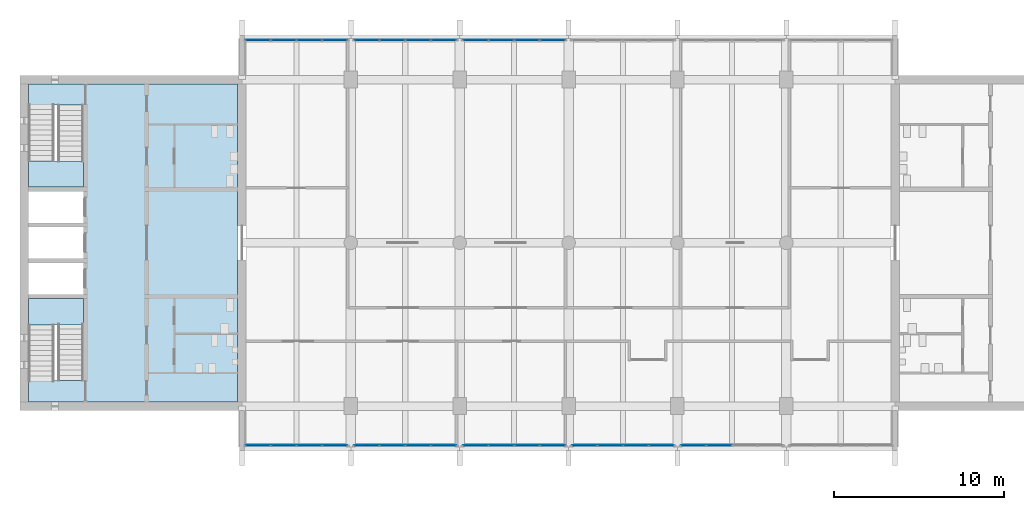
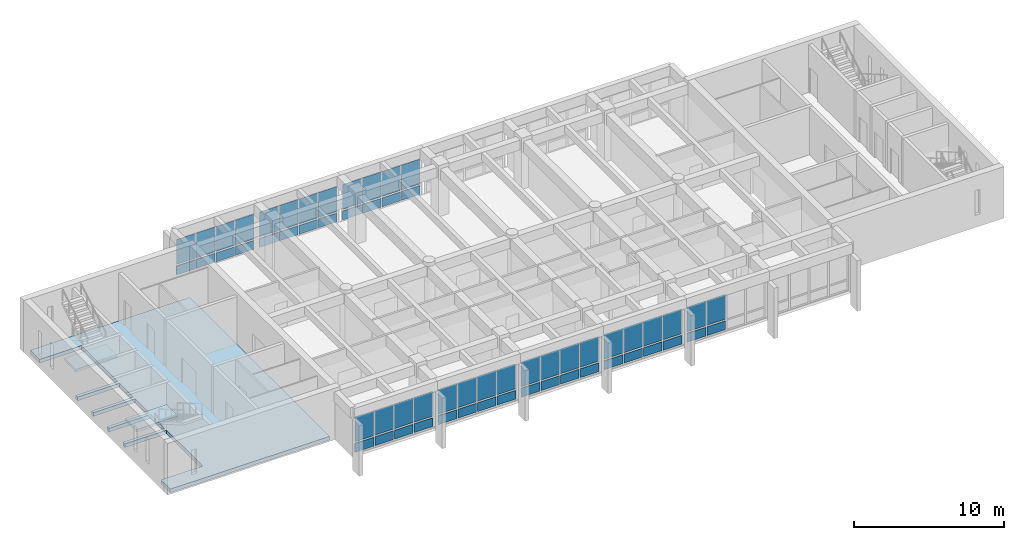
# One storey, part 7 of 15: 60 plates, 3 slabs, 10 elements without a shape of their own.
"""IFC4 building model written with IfcOpenShell, lengths in metres."""

from ifc_helpers import new_model, si_unit, direction, frame, origin, origin_2d, place, context, subcontext, project, spatial, polyline, rectangle, outline, extrude, material, layer, layer_set, type_object, element, aggregate, save


model = new_model("IFC4")

# Units and contexts
model_context = context("Model", 3, precision=1e-05, world=origin(), true_north=direction((0.0, 1.0)))
body_context = subcontext(model_context, "Body", "Model", "MODEL_VIEW")
ifc_project = project(units=[si_unit("LENGTHUNIT", "METRE"), si_unit("AREAUNIT", "SQUARE_METRE"), si_unit("VOLUMEUNIT", "CUBIC_METRE"), si_unit("PLANEANGLEUNIT", "RADIAN"), si_unit("MASSUNIT", "GRAM", prefix="KILO")], contexts=[model_context])

# Site, building, storey
site_placement = place(None, origin())
site = spatial("IfcSite", under=ifc_project, at=site_placement, CompositionType="ELEMENT")
building_placement = place(site_placement, origin())
building = spatial("IfcBuilding", under=site, at=building_placement, Name="Fogon Plaza Fire Station and Headquarters Tower", CompositionType="ELEMENT")
storey_placement = place(building_placement, frame((0.0, 0.0, 60.0)))
storey = spatial("IfcBuildingStorey", under=building, at=storey_placement, Name="L15", CompositionType="ELEMENT", Elevation=60.0)

# Slab
ifc_material_1 = material(Name="Concrete C40", Category="concrete")
ifc_layer_1 = layer(ifc_material_1, 0.300048828125)
ifc_layer_set_1 = layer_set([ifc_layer_1], Name="Concrete C40")
slab_type_1 = type_object("IfcSlabType", Name="Core Floor Slab RC 300", PredefinedType="FLOOR", material=ifc_layer_set_1)
slab_1_placement = place(storey_placement, frame((0.0, 0.0, -0.300048828125)))
element("IfcSlab", 1, at=slab_1_placement, inside=storey, type_object=slab_type_1, Name="Core A floor", PredefinedType="FLOOR", context=body_context, shape_type="SweptSolid", body=[
    extrude(outline(polyline([(13.050048828125, 35.110107421875), (13.050048828125, 33.85009765625), (25.35009765625, 33.85009765625), (25.35009765625, 52.550048828125), (13.050048828125, 52.550048828125), (13.050048828125, 51.2900390625), (16.27490234375, 51.2900390625), (16.27490234375, 46.47509765625), (13.050048828125, 46.47509765625), (13.050048828125, 46.22509765625), (16.27490234375, 46.22509765625), (16.27490234375, 44.375), (13.050048828125, 44.375), (13.050048828125, 44.125), (16.27490234375, 44.125), (16.27490234375, 42.27490234375), (13.050048828125, 42.27490234375), (13.050048828125, 42.02490234375), (16.27490234375, 42.02490234375), (16.27490234375, 40.175048828125), (13.050048828125, 40.175048828125), (13.050048828125, 39.925048828125), (16.27490234375, 39.925048828125), (16.27490234375, 35.110107421875), (13.050048828125, 35.110107421875)])), origin(), (0.0, 0.0, 1.0), 0.300048828125),
])

# Curtain wall, plates
ifc_material_2 = material(Name="Aluminium and glass", Category="aluminium")
ifc_layer_2 = layer(ifc_material_2, 0.14990234375)
ifc_layer_set_2 = layer_set([ifc_layer_2], Name="Aluminium and glass")
curtain_wall_type = type_object("IfcCurtainWallType", Name="Unitised Curtain Wall Run 6100x3100", PredefinedType="NOTDEFINED", material=ifc_layer_set_2)
curtain_wall_1_placement = place(storey_placement, origin())
curtain_wall_1 = element("IfcCurtainWall", 2, at=curtain_wall_1_placement, inside=storey, type_object=curtain_wall_type, Name="CW-6100x3100 S1 L15", PredefinedType="NOTDEFINED")
ifc_material_3 = material(Name="Insulated aluminium spandrel", Category="aluminium")
ifc_layer_3 = layer(ifc_material_3, 0.06005859375)
ifc_layer_set_3 = layer_set([ifc_layer_3], Name="Insulated aluminium spandrel")
plate_type_1 = type_object("IfcPlateType", Name="Insulated Spandrel Panel", PredefinedType="CURTAIN_PANEL", material=ifc_layer_set_3)
plate_1_placement = place(storey_placement, frame((26.534912109375, 31.280029296875, 0.1201171875), z_axis=(0.0, 0.0, 1.0), x_axis=(1.0, 0.0, 0.0)))
plate_1 = element("IfcPlate", 3, at=plate_1_placement, type_object=plate_type_1, Name="SP1 panel 1.1", PredefinedType="CURTAIN_PANEL", context=body_context, shape_type="SweptSolid", body=[
    extrude(rectangle(XDim=1.449951171875, YDim=0.06005859375, at=origin_2d()), origin(), (0.0, 0.0, 1.0), 0.719970703125),
])
plate_2_placement = place(storey_placement, frame((28.044921875, 31.280029296875, 0.1201171875), z_axis=(0.0, 0.0, 1.0), x_axis=(1.0, 0.0, 0.0)))
plate_2 = element("IfcPlate", 4, at=plate_2_placement, type_object=plate_type_1, Name="SP1 panel 2.1", PredefinedType="CURTAIN_PANEL", context=body_context, shape_type="SweptSolid", body=[
    extrude(rectangle(XDim=1.449951171875, YDim=0.06005859375, at=origin_2d()), origin(), (0.0, 0.0, 1.0), 0.719970703125),
])
plate_3_placement = place(storey_placement, frame((29.554931640625, 31.280029296875, 0.1201171875), z_axis=(0.0, 0.0, 1.0), x_axis=(1.0, 0.0, 0.0)))
plate_3 = element("IfcPlate", 5, at=plate_3_placement, type_object=plate_type_1, Name="SP1 panel 3.1", PredefinedType="CURTAIN_PANEL", context=body_context, shape_type="SweptSolid", body=[
    extrude(rectangle(XDim=1.449951171875, YDim=0.06005859375, at=origin_2d()), origin(), (0.0, 0.0, 1.0), 0.719970703125),
])
plate_4_placement = place(storey_placement, frame((31.06494140625, 31.280029296875, 0.1201171875), z_axis=(0.0, 0.0, 1.0), x_axis=(1.0, 0.0, 0.0)))
plate_4 = element("IfcPlate", 6, at=plate_4_placement, type_object=plate_type_1, Name="SP1 panel 4.1", PredefinedType="CURTAIN_PANEL", context=body_context, shape_type="SweptSolid", body=[
    extrude(rectangle(XDim=1.449951171875, YDim=0.06005859375, at=origin_2d()), origin(), (0.0, 0.0, 1.0), 0.719970703125),
])

curtain_wall_2_placement = place(storey_placement, origin())
curtain_wall_2 = element("IfcCurtainWall", 7, at=curtain_wall_2_placement, inside=storey, type_object=curtain_wall_type, Name="CW-6100x3100 S2 L15", PredefinedType="NOTDEFINED")
plate_5_placement = place(storey_placement, frame((32.93505859375, 31.280029296875, 0.1201171875), z_axis=(0.0, 0.0, 1.0), x_axis=(1.0, 0.0, 0.0)))
plate_5 = element("IfcPlate", 8, at=plate_5_placement, type_object=plate_type_1, Name="SP1 panel 1.1", PredefinedType="CURTAIN_PANEL", context=body_context, shape_type="SweptSolid", body=[
    extrude(rectangle(XDim=1.449951171875, YDim=0.06005859375, at=origin_2d()), origin(), (0.0, 0.0, 1.0), 0.719970703125),
])
plate_6_placement = place(storey_placement, frame((34.445068359375, 31.280029296875, 0.1201171875), z_axis=(0.0, 0.0, 1.0), x_axis=(1.0, 0.0, 0.0)))
plate_6 = element("IfcPlate", 9, at=plate_6_placement, type_object=plate_type_1, Name="SP1 panel 2.1", PredefinedType="CURTAIN_PANEL", context=body_context, shape_type="SweptSolid", body=[
    extrude(rectangle(XDim=1.449951171875, YDim=0.06005859375, at=origin_2d()), origin(), (0.0, 0.0, 1.0), 0.719970703125),
])
plate_7_placement = place(storey_placement, frame((35.955078125, 31.280029296875, 0.1201171875), z_axis=(0.0, 0.0, 1.0), x_axis=(1.0, 0.0, 0.0)))
plate_7 = element("IfcPlate", 10, at=plate_7_placement, type_object=plate_type_1, Name="SP1 panel 3.1", PredefinedType="CURTAIN_PANEL", context=body_context, shape_type="SweptSolid", body=[
    extrude(rectangle(XDim=1.449951171875, YDim=0.06005859375, at=origin_2d()), origin(), (0.0, 0.0, 1.0), 0.719970703125),
])
plate_8_placement = place(storey_placement, frame((37.465087890625, 31.280029296875, 0.1201171875), z_axis=(0.0, 0.0, 1.0), x_axis=(1.0, 0.0, 0.0)))
plate_8 = element("IfcPlate", 11, at=plate_8_placement, type_object=plate_type_1, Name="SP1 panel 4.1", PredefinedType="CURTAIN_PANEL", context=body_context, shape_type="SweptSolid", body=[
    extrude(rectangle(XDim=1.449951171875, YDim=0.06005859375, at=origin_2d()), origin(), (0.0, 0.0, 1.0), 0.719970703125),
])

curtain_wall_3_placement = place(storey_placement, origin())
curtain_wall_3 = element("IfcCurtainWall", 12, at=curtain_wall_3_placement, inside=storey, type_object=curtain_wall_type, Name="CW-6100x3100 S3 L15", PredefinedType="NOTDEFINED")
plate_9_placement = place(storey_placement, frame((39.3349609375, 31.280029296875, 0.1201171875), z_axis=(0.0, 0.0, 1.0), x_axis=(1.0, 0.0, 0.0)))
plate_9 = element("IfcPlate", 13, at=plate_9_placement, type_object=plate_type_1, Name="SP1 panel 1.1", PredefinedType="CURTAIN_PANEL", context=body_context, shape_type="SweptSolid", body=[
    extrude(rectangle(XDim=1.449951171875, YDim=0.06005859375, at=origin_2d()), origin(), (0.0, 0.0, 1.0), 0.719970703125),
])
plate_10_placement = place(storey_placement, frame((40.844970703125, 31.280029296875, 0.1201171875), z_axis=(0.0, 0.0, 1.0), x_axis=(1.0, 0.0, 0.0)))
plate_10 = element("IfcPlate", 14, at=plate_10_placement, type_object=plate_type_1, Name="SP1 panel 2.1", PredefinedType="CURTAIN_PANEL", context=body_context, shape_type="SweptSolid", body=[
    extrude(rectangle(XDim=1.449951171875, YDim=0.06005859375, at=origin_2d()), origin(), (0.0, 0.0, 1.0), 0.719970703125),
])
plate_11_placement = place(storey_placement, frame((42.35498046875, 31.280029296875, 0.1201171875), z_axis=(0.0, 0.0, 1.0), x_axis=(1.0, 0.0, 0.0)))
plate_11 = element("IfcPlate", 15, at=plate_11_placement, type_object=plate_type_1, Name="SP1 panel 3.1", PredefinedType="CURTAIN_PANEL", context=body_context, shape_type="SweptSolid", body=[
    extrude(rectangle(XDim=1.449951171875, YDim=0.06005859375, at=origin_2d()), origin(), (0.0, 0.0, 1.0), 0.719970703125),
])
plate_12_placement = place(storey_placement, frame((43.864990234375, 31.280029296875, 0.1201171875), z_axis=(0.0, 0.0, 1.0), x_axis=(1.0, 0.0, 0.0)))
plate_12 = element("IfcPlate", 16, at=plate_12_placement, type_object=plate_type_1, Name="SP1 panel 4.1", PredefinedType="CURTAIN_PANEL", context=body_context, shape_type="SweptSolid", body=[
    extrude(rectangle(XDim=1.449951171875, YDim=0.06005859375, at=origin_2d()), origin(), (0.0, 0.0, 1.0), 0.719970703125),
])

curtain_wall_4_placement = place(storey_placement, origin())
curtain_wall_4 = element("IfcCurtainWall", 17, at=curtain_wall_4_placement, inside=storey, type_object=curtain_wall_type, Name="CW-6100x3100 S4 L15", PredefinedType="NOTDEFINED")
plate_13_placement = place(storey_placement, frame((45.735107421875, 31.280029296875, 0.1201171875), z_axis=(0.0, 0.0, 1.0), x_axis=(1.0, 0.0, 0.0)))
plate_13 = element("IfcPlate", 18, at=plate_13_placement, type_object=plate_type_1, Name="SP1 panel 1.1", PredefinedType="CURTAIN_PANEL", context=body_context, shape_type="SweptSolid", body=[
    extrude(rectangle(XDim=1.449951171875, YDim=0.06005859375, at=origin_2d()), origin(), (0.0, 0.0, 1.0), 0.719970703125),
])
plate_14_placement = place(storey_placement, frame((47.2451171875, 31.280029296875, 0.1201171875), z_axis=(0.0, 0.0, 1.0), x_axis=(1.0, 0.0, 0.0)))
plate_14 = element("IfcPlate", 19, at=plate_14_placement, type_object=plate_type_1, Name="SP1 panel 2.1", PredefinedType="CURTAIN_PANEL", context=body_context, shape_type="SweptSolid", body=[
    extrude(rectangle(XDim=1.449951171875, YDim=0.06005859375, at=origin_2d()), origin(), (0.0, 0.0, 1.0), 0.719970703125),
])
plate_15_placement = place(storey_placement, frame((48.7548828125, 31.280029296875, 0.1201171875), z_axis=(0.0, 0.0, 1.0), x_axis=(1.0, 0.0, 0.0)))
plate_15 = element("IfcPlate", 20, at=plate_15_placement, type_object=plate_type_1, Name="SP1 panel 3.1", PredefinedType="CURTAIN_PANEL", context=body_context, shape_type="SweptSolid", body=[
    extrude(rectangle(XDim=1.449951171875, YDim=0.06005859375, at=origin_2d()), origin(), (0.0, 0.0, 1.0), 0.719970703125),
])
plate_16_placement = place(storey_placement, frame((50.264892578125, 31.280029296875, 0.1201171875), z_axis=(0.0, 0.0, 1.0), x_axis=(1.0, 0.0, 0.0)))
plate_16 = element("IfcPlate", 21, at=plate_16_placement, type_object=plate_type_1, Name="SP1 panel 4.1", PredefinedType="CURTAIN_PANEL", context=body_context, shape_type="SweptSolid", body=[
    extrude(rectangle(XDim=1.449951171875, YDim=0.06005859375, at=origin_2d()), origin(), (0.0, 0.0, 1.0), 0.719970703125),
])

curtain_wall_5_placement = place(storey_placement, origin())
curtain_wall_5 = element("IfcCurtainWall", 22, at=curtain_wall_5_placement, inside=storey, type_object=curtain_wall_type, Name="CW-6100x3100 S5 L15", PredefinedType="NOTDEFINED")
plate_17_placement = place(storey_placement, frame((52.135009765625, 31.280029296875, 0.1201171875), z_axis=(0.0, 0.0, 1.0), x_axis=(1.0, 0.0, 0.0)))
plate_17 = element("IfcPlate", 23, at=plate_17_placement, type_object=plate_type_1, Name="SP1 panel 1.1", PredefinedType="CURTAIN_PANEL", context=body_context, shape_type="SweptSolid", body=[
    extrude(rectangle(XDim=1.449951171875, YDim=0.06005859375, at=origin_2d()), origin(), (0.0, 0.0, 1.0), 0.719970703125),
])
plate_18_placement = place(storey_placement, frame((53.64501953125, 31.280029296875, 0.1201171875), z_axis=(0.0, 0.0, 1.0), x_axis=(1.0, 0.0, 0.0)))
plate_18 = element("IfcPlate", 24, at=plate_18_placement, type_object=plate_type_1, Name="SP1 panel 2.1", PredefinedType="CURTAIN_PANEL", context=body_context, shape_type="SweptSolid", body=[
    extrude(rectangle(XDim=1.449951171875, YDim=0.06005859375, at=origin_2d()), origin(), (0.0, 0.0, 1.0), 0.719970703125),
])

curtain_wall_6_placement = place(storey_placement, origin())
curtain_wall_6 = element("IfcCurtainWall", 25, at=curtain_wall_6_placement, inside=storey, type_object=curtain_wall_type, Name="CW-6100x3100 N1 L15", PredefinedType="NOTDEFINED")
plate_19_placement = place(storey_placement, frame((26.534912109375, 55.1201171875, 0.1201171875), z_axis=(0.0, 0.0, 1.0), x_axis=(1.0, 0.0, 0.0)))
plate_19 = element("IfcPlate", 26, at=plate_19_placement, type_object=plate_type_1, Name="SP1 panel 1.1", PredefinedType="CURTAIN_PANEL", context=body_context, shape_type="SweptSolid", body=[
    extrude(rectangle(XDim=1.449951171875, YDim=0.06005859375, at=origin_2d()), origin(), (0.0, 0.0, 1.0), 0.719970703125),
])
plate_20_placement = place(storey_placement, frame((28.044921875, 55.1201171875, 0.1201171875), z_axis=(0.0, 0.0, 1.0), x_axis=(1.0, 0.0, 0.0)))
plate_20 = element("IfcPlate", 27, at=plate_20_placement, type_object=plate_type_1, Name="SP1 panel 2.1", PredefinedType="CURTAIN_PANEL", context=body_context, shape_type="SweptSolid", body=[
    extrude(rectangle(XDim=1.449951171875, YDim=0.06005859375, at=origin_2d()), origin(), (0.0, 0.0, 1.0), 0.719970703125),
])
plate_21_placement = place(storey_placement, frame((29.554931640625, 55.1201171875, 0.1201171875), z_axis=(0.0, 0.0, 1.0), x_axis=(1.0, 0.0, 0.0)))
plate_21 = element("IfcPlate", 28, at=plate_21_placement, type_object=plate_type_1, Name="SP1 panel 3.1", PredefinedType="CURTAIN_PANEL", context=body_context, shape_type="SweptSolid", body=[
    extrude(rectangle(XDim=1.449951171875, YDim=0.06005859375, at=origin_2d()), origin(), (0.0, 0.0, 1.0), 0.719970703125),
])
plate_22_placement = place(storey_placement, frame((31.06494140625, 55.1201171875, 0.1201171875), z_axis=(0.0, 0.0, 1.0), x_axis=(1.0, 0.0, 0.0)))
plate_22 = element("IfcPlate", 29, at=plate_22_placement, type_object=plate_type_1, Name="SP1 panel 4.1", PredefinedType="CURTAIN_PANEL", context=body_context, shape_type="SweptSolid", body=[
    extrude(rectangle(XDim=1.449951171875, YDim=0.06005859375, at=origin_2d()), origin(), (0.0, 0.0, 1.0), 0.719970703125),
])

curtain_wall_7_placement = place(storey_placement, origin())
curtain_wall_7 = element("IfcCurtainWall", 30, at=curtain_wall_7_placement, inside=storey, type_object=curtain_wall_type, Name="CW-6100x3100 N2 L15", PredefinedType="NOTDEFINED")
plate_23_placement = place(storey_placement, frame((32.93505859375, 55.1201171875, 0.1201171875), z_axis=(0.0, 0.0, 1.0), x_axis=(1.0, 0.0, 0.0)))
plate_23 = element("IfcPlate", 31, at=plate_23_placement, type_object=plate_type_1, Name="SP1 panel 1.1", PredefinedType="CURTAIN_PANEL", context=body_context, shape_type="SweptSolid", body=[
    extrude(rectangle(XDim=1.449951171875, YDim=0.06005859375, at=origin_2d()), origin(), (0.0, 0.0, 1.0), 0.719970703125),
])
plate_24_placement = place(storey_placement, frame((34.445068359375, 55.1201171875, 0.1201171875), z_axis=(0.0, 0.0, 1.0), x_axis=(1.0, 0.0, 0.0)))
plate_24 = element("IfcPlate", 32, at=plate_24_placement, type_object=plate_type_1, Name="SP1 panel 2.1", PredefinedType="CURTAIN_PANEL", context=body_context, shape_type="SweptSolid", body=[
    extrude(rectangle(XDim=1.449951171875, YDim=0.06005859375, at=origin_2d()), origin(), (0.0, 0.0, 1.0), 0.719970703125),
])
plate_25_placement = place(storey_placement, frame((35.955078125, 55.1201171875, 0.1201171875), z_axis=(0.0, 0.0, 1.0), x_axis=(1.0, 0.0, 0.0)))
plate_25 = element("IfcPlate", 33, at=plate_25_placement, type_object=plate_type_1, Name="SP1 panel 3.1", PredefinedType="CURTAIN_PANEL", context=body_context, shape_type="SweptSolid", body=[
    extrude(rectangle(XDim=1.449951171875, YDim=0.06005859375, at=origin_2d()), origin(), (0.0, 0.0, 1.0), 0.719970703125),
])
plate_26_placement = place(storey_placement, frame((37.465087890625, 55.1201171875, 0.1201171875), z_axis=(0.0, 0.0, 1.0), x_axis=(1.0, 0.0, 0.0)))
plate_26 = element("IfcPlate", 34, at=plate_26_placement, type_object=plate_type_1, Name="SP1 panel 4.1", PredefinedType="CURTAIN_PANEL", context=body_context, shape_type="SweptSolid", body=[
    extrude(rectangle(XDim=1.449951171875, YDim=0.06005859375, at=origin_2d()), origin(), (0.0, 0.0, 1.0), 0.719970703125),
])

curtain_wall_8_placement = place(storey_placement, origin())
curtain_wall_8 = element("IfcCurtainWall", 35, at=curtain_wall_8_placement, inside=storey, type_object=curtain_wall_type, Name="CW-6100x3100 N3 L15", PredefinedType="NOTDEFINED")
plate_27_placement = place(storey_placement, frame((39.3349609375, 55.1201171875, 0.1201171875), z_axis=(0.0, 0.0, 1.0), x_axis=(1.0, 0.0, 0.0)))
plate_27 = element("IfcPlate", 36, at=plate_27_placement, type_object=plate_type_1, Name="SP1 panel 1.1", PredefinedType="CURTAIN_PANEL", context=body_context, shape_type="SweptSolid", body=[
    extrude(rectangle(XDim=1.449951171875, YDim=0.06005859375, at=origin_2d()), origin(), (0.0, 0.0, 1.0), 0.719970703125),
])
plate_28_placement = place(storey_placement, frame((40.844970703125, 55.1201171875, 0.1201171875), z_axis=(0.0, 0.0, 1.0), x_axis=(1.0, 0.0, 0.0)))
plate_28 = element("IfcPlate", 37, at=plate_28_placement, type_object=plate_type_1, Name="SP1 panel 2.1", PredefinedType="CURTAIN_PANEL", context=body_context, shape_type="SweptSolid", body=[
    extrude(rectangle(XDim=1.449951171875, YDim=0.06005859375, at=origin_2d()), origin(), (0.0, 0.0, 1.0), 0.719970703125),
])
plate_29_placement = place(storey_placement, frame((42.35498046875, 55.1201171875, 0.1201171875), z_axis=(0.0, 0.0, 1.0), x_axis=(1.0, 0.0, 0.0)))
plate_29 = element("IfcPlate", 38, at=plate_29_placement, type_object=plate_type_1, Name="SP1 panel 3.1", PredefinedType="CURTAIN_PANEL", context=body_context, shape_type="SweptSolid", body=[
    extrude(rectangle(XDim=1.449951171875, YDim=0.06005859375, at=origin_2d()), origin(), (0.0, 0.0, 1.0), 0.719970703125),
])
plate_30_placement = place(storey_placement, frame((43.864990234375, 55.1201171875, 0.1201171875), z_axis=(0.0, 0.0, 1.0), x_axis=(1.0, 0.0, 0.0)))
plate_30 = element("IfcPlate", 39, at=plate_30_placement, type_object=plate_type_1, Name="SP1 panel 4.1", PredefinedType="CURTAIN_PANEL", context=body_context, shape_type="SweptSolid", body=[
    extrude(rectangle(XDim=1.449951171875, YDim=0.06005859375, at=origin_2d()), origin(), (0.0, 0.0, 1.0), 0.719970703125),
])

# Stair, slab
ifc_material_4 = material(Name="Concrete C40", Category="concrete")
stair_type = type_object("IfcStairType", Name="Exit Stair Two Flights", PredefinedType="TWO_STRAIGHT_RUN_STAIR", material=ifc_material_4)
stair_1_placement = place(storey_placement, origin())
stair_1 = element("IfcStair", 40, at=stair_1_placement, inside=storey, type_object=stair_type, Name="Stair ST1", PredefinedType="TWO_STRAIGHT_RUN_STAIR")
ifc_material_5 = material(Name="Concrete C40", Category="concrete")
ifc_layer_4 = layer(ifc_material_5, 0.300048828125)
ifc_layer_set_4 = layer_set([ifc_layer_4], Name="Concrete C40")
slab_type_2 = type_object("IfcSlabType", Name="Stair Landing RC 300", PredefinedType="LANDING", material=ifc_layer_set_4)
slab_2_placement = place(storey_placement, frame((0.0, 0.0, 1.89990234375)))
slab_2 = element("IfcSlab", 41, at=slab_2_placement, type_object=slab_type_2, Name="ST1 landing L17", PredefinedType="LANDING", context=body_context, shape_type="SweptSolid", body=[
    extrude(outline(polyline([(16.27490234375, 38.375), (16.27490234375, 39.925048828125), (13.050048828125, 39.925048828125), (13.050048828125, 38.375), (16.27490234375, 38.375)])), origin(), (0.0, 0.0, 1.0), 0.2001953125),
])
aggregate(stair_1, [slab_2])

stair_2_placement = place(storey_placement, origin())
stair_2 = element("IfcStair", 42, at=stair_2_placement, inside=storey, type_object=stair_type, Name="Stair ST2", PredefinedType="TWO_STRAIGHT_RUN_STAIR")
slab_3_placement = place(storey_placement, frame((0.0, 0.0, 1.89990234375)))
slab_3 = element("IfcSlab", 43, at=slab_3_placement, type_object=slab_type_2, Name="ST2 landing L17", PredefinedType="LANDING", context=body_context, shape_type="SweptSolid", body=[
    extrude(outline(polyline([(16.27490234375, 46.47509765625), (16.27490234375, 48.02490234375), (13.050048828125, 48.02490234375), (13.050048828125, 46.47509765625), (16.27490234375, 46.47509765625)])), origin(), (0.0, 0.0, 1.0), 0.2001953125),
])
aggregate(stair_2, [slab_3])

# Plate
ifc_material_6 = material(Name="Low-e double glazing", Category="glass")
ifc_layer_5 = layer(ifc_material_6, 0.028076171875)
ifc_layer_set_5 = layer_set([ifc_layer_5], Name="Low-e double glazing")
plate_type_2 = type_object("IfcPlateType", Name="Vision Glass Panel 1450x2020", PredefinedType="CURTAIN_PANEL", material=ifc_layer_set_5)
plate_31_placement = place(storey_placement, frame((26.534912109375, 31.280029296875, 0.9599609375), z_axis=(0.0, 0.0, 1.0), x_axis=(1.0, 0.0, 0.0)))
plate_31 = element("IfcPlate", 44, at=plate_31_placement, type_object=plate_type_2, Name="VG-1450x2020 panel 1.2", PredefinedType="CURTAIN_PANEL", context=body_context, shape_type="SweptSolid", body=[
    extrude(rectangle(XDim=1.449951171875, YDim=0.028076171875, at=origin_2d()), origin(), (0.0, 0.0, 1.0), 2.02001953125),
])

plate_32_placement = place(storey_placement, frame((28.044921875, 31.280029296875, 0.9599609375), z_axis=(0.0, 0.0, 1.0), x_axis=(1.0, 0.0, 0.0)))
plate_32 = element("IfcPlate", 45, at=plate_32_placement, type_object=plate_type_2, Name="VG-1450x2020 panel 2.2", PredefinedType="CURTAIN_PANEL", context=body_context, shape_type="SweptSolid", body=[
    extrude(rectangle(XDim=1.449951171875, YDim=0.028076171875, at=origin_2d()), origin(), (0.0, 0.0, 1.0), 2.02001953125),
])

plate_33_placement = place(storey_placement, frame((29.554931640625, 31.280029296875, 0.9599609375), z_axis=(0.0, 0.0, 1.0), x_axis=(1.0, 0.0, 0.0)))
plate_33 = element("IfcPlate", 46, at=plate_33_placement, type_object=plate_type_2, Name="VG-1450x2020 panel 3.2", PredefinedType="CURTAIN_PANEL", context=body_context, shape_type="SweptSolid", body=[
    extrude(rectangle(XDim=1.449951171875, YDim=0.028076171875, at=origin_2d()), origin(), (0.0, 0.0, 1.0), 2.02001953125),
])

plate_34_placement = place(storey_placement, frame((31.06494140625, 31.280029296875, 0.9599609375), z_axis=(0.0, 0.0, 1.0), x_axis=(1.0, 0.0, 0.0)))
plate_34 = element("IfcPlate", 47, at=plate_34_placement, type_object=plate_type_2, Name="VG-1450x2020 panel 4.2", PredefinedType="CURTAIN_PANEL", context=body_context, shape_type="SweptSolid", body=[
    extrude(rectangle(XDim=1.449951171875, YDim=0.028076171875, at=origin_2d()), origin(), (0.0, 0.0, 1.0), 2.02001953125),
])

aggregate(curtain_wall_1, [plate_1, plate_31, plate_2, plate_32, plate_3, plate_33, plate_4, plate_34])

plate_35_placement = place(storey_placement, frame((32.93505859375, 31.280029296875, 0.9599609375), z_axis=(0.0, 0.0, 1.0), x_axis=(1.0, 0.0, 0.0)))
plate_35 = element("IfcPlate", 48, at=plate_35_placement, type_object=plate_type_2, Name="VG-1450x2020 panel 1.2", PredefinedType="CURTAIN_PANEL", context=body_context, shape_type="SweptSolid", body=[
    extrude(rectangle(XDim=1.449951171875, YDim=0.028076171875, at=origin_2d()), origin(), (0.0, 0.0, 1.0), 2.02001953125),
])

plate_36_placement = place(storey_placement, frame((34.445068359375, 31.280029296875, 0.9599609375), z_axis=(0.0, 0.0, 1.0), x_axis=(1.0, 0.0, 0.0)))
plate_36 = element("IfcPlate", 49, at=plate_36_placement, type_object=plate_type_2, Name="VG-1450x2020 panel 2.2", PredefinedType="CURTAIN_PANEL", context=body_context, shape_type="SweptSolid", body=[
    extrude(rectangle(XDim=1.449951171875, YDim=0.028076171875, at=origin_2d()), origin(), (0.0, 0.0, 1.0), 2.02001953125),
])

plate_37_placement = place(storey_placement, frame((35.955078125, 31.280029296875, 0.9599609375), z_axis=(0.0, 0.0, 1.0), x_axis=(1.0, 0.0, 0.0)))
plate_37 = element("IfcPlate", 50, at=plate_37_placement, type_object=plate_type_2, Name="VG-1450x2020 panel 3.2", PredefinedType="CURTAIN_PANEL", context=body_context, shape_type="SweptSolid", body=[
    extrude(rectangle(XDim=1.449951171875, YDim=0.028076171875, at=origin_2d()), origin(), (0.0, 0.0, 1.0), 2.02001953125),
])

plate_38_placement = place(storey_placement, frame((37.465087890625, 31.280029296875, 0.9599609375), z_axis=(0.0, 0.0, 1.0), x_axis=(1.0, 0.0, 0.0)))
plate_38 = element("IfcPlate", 51, at=plate_38_placement, type_object=plate_type_2, Name="VG-1450x2020 panel 4.2", PredefinedType="CURTAIN_PANEL", context=body_context, shape_type="SweptSolid", body=[
    extrude(rectangle(XDim=1.449951171875, YDim=0.028076171875, at=origin_2d()), origin(), (0.0, 0.0, 1.0), 2.02001953125),
])

aggregate(curtain_wall_2, [plate_5, plate_35, plate_6, plate_36, plate_7, plate_37, plate_8, plate_38])

plate_39_placement = place(storey_placement, frame((39.3349609375, 31.280029296875, 0.9599609375), z_axis=(0.0, 0.0, 1.0), x_axis=(1.0, 0.0, 0.0)))
plate_39 = element("IfcPlate", 52, at=plate_39_placement, type_object=plate_type_2, Name="VG-1450x2020 panel 1.2", PredefinedType="CURTAIN_PANEL", context=body_context, shape_type="SweptSolid", body=[
    extrude(rectangle(XDim=1.449951171875, YDim=0.028076171875, at=origin_2d()), origin(), (0.0, 0.0, 1.0), 2.02001953125),
])

plate_40_placement = place(storey_placement, frame((40.844970703125, 31.280029296875, 0.9599609375), z_axis=(0.0, 0.0, 1.0), x_axis=(1.0, 0.0, 0.0)))
plate_40 = element("IfcPlate", 53, at=plate_40_placement, type_object=plate_type_2, Name="VG-1450x2020 panel 2.2", PredefinedType="CURTAIN_PANEL", context=body_context, shape_type="SweptSolid", body=[
    extrude(rectangle(XDim=1.449951171875, YDim=0.028076171875, at=origin_2d()), origin(), (0.0, 0.0, 1.0), 2.02001953125),
])

plate_41_placement = place(storey_placement, frame((42.35498046875, 31.280029296875, 0.9599609375), z_axis=(0.0, 0.0, 1.0), x_axis=(1.0, 0.0, 0.0)))
plate_41 = element("IfcPlate", 54, at=plate_41_placement, type_object=plate_type_2, Name="VG-1450x2020 panel 3.2", PredefinedType="CURTAIN_PANEL", context=body_context, shape_type="SweptSolid", body=[
    extrude(rectangle(XDim=1.449951171875, YDim=0.028076171875, at=origin_2d()), origin(), (0.0, 0.0, 1.0), 2.02001953125),
])

plate_42_placement = place(storey_placement, frame((43.864990234375, 31.280029296875, 0.9599609375), z_axis=(0.0, 0.0, 1.0), x_axis=(1.0, 0.0, 0.0)))
plate_42 = element("IfcPlate", 55, at=plate_42_placement, type_object=plate_type_2, Name="VG-1450x2020 panel 4.2", PredefinedType="CURTAIN_PANEL", context=body_context, shape_type="SweptSolid", body=[
    extrude(rectangle(XDim=1.449951171875, YDim=0.028076171875, at=origin_2d()), origin(), (0.0, 0.0, 1.0), 2.02001953125),
])

aggregate(curtain_wall_3, [plate_9, plate_39, plate_10, plate_40, plate_11, plate_41, plate_12, plate_42])

plate_43_placement = place(storey_placement, frame((45.735107421875, 31.280029296875, 0.9599609375), z_axis=(0.0, 0.0, 1.0), x_axis=(1.0, 0.0, 0.0)))
plate_43 = element("IfcPlate", 56, at=plate_43_placement, type_object=plate_type_2, Name="VG-1450x2020 panel 1.2", PredefinedType="CURTAIN_PANEL", context=body_context, shape_type="SweptSolid", body=[
    extrude(rectangle(XDim=1.449951171875, YDim=0.028076171875, at=origin_2d()), origin(), (0.0, 0.0, 1.0), 2.02001953125),
])

plate_44_placement = place(storey_placement, frame((47.2451171875, 31.280029296875, 0.9599609375), z_axis=(0.0, 0.0, 1.0), x_axis=(1.0, 0.0, 0.0)))
plate_44 = element("IfcPlate", 57, at=plate_44_placement, type_object=plate_type_2, Name="VG-1450x2020 panel 2.2", PredefinedType="CURTAIN_PANEL", context=body_context, shape_type="SweptSolid", body=[
    extrude(rectangle(XDim=1.449951171875, YDim=0.028076171875, at=origin_2d()), origin(), (0.0, 0.0, 1.0), 2.02001953125),
])

plate_45_placement = place(storey_placement, frame((48.7548828125, 31.280029296875, 0.9599609375), z_axis=(0.0, 0.0, 1.0), x_axis=(1.0, 0.0, 0.0)))
plate_45 = element("IfcPlate", 58, at=plate_45_placement, type_object=plate_type_2, Name="VG-1450x2020 panel 3.2", PredefinedType="CURTAIN_PANEL", context=body_context, shape_type="SweptSolid", body=[
    extrude(rectangle(XDim=1.449951171875, YDim=0.028076171875, at=origin_2d()), origin(), (0.0, 0.0, 1.0), 2.02001953125),
])

plate_46_placement = place(storey_placement, frame((50.264892578125, 31.280029296875, 0.9599609375), z_axis=(0.0, 0.0, 1.0), x_axis=(1.0, 0.0, 0.0)))
plate_46 = element("IfcPlate", 59, at=plate_46_placement, type_object=plate_type_2, Name="VG-1450x2020 panel 4.2", PredefinedType="CURTAIN_PANEL", context=body_context, shape_type="SweptSolid", body=[
    extrude(rectangle(XDim=1.449951171875, YDim=0.028076171875, at=origin_2d()), origin(), (0.0, 0.0, 1.0), 2.02001953125),
])

aggregate(curtain_wall_4, [plate_13, plate_43, plate_14, plate_44, plate_15, plate_45, plate_16, plate_46])

plate_47_placement = place(storey_placement, frame((52.135009765625, 31.280029296875, 0.9599609375), z_axis=(0.0, 0.0, 1.0), x_axis=(1.0, 0.0, 0.0)))
plate_47 = element("IfcPlate", 60, at=plate_47_placement, type_object=plate_type_2, Name="VG-1450x2020 panel 1.2", PredefinedType="CURTAIN_PANEL", context=body_context, shape_type="SweptSolid", body=[
    extrude(rectangle(XDim=1.449951171875, YDim=0.028076171875, at=origin_2d()), origin(), (0.0, 0.0, 1.0), 2.02001953125),
])

plate_48_placement = place(storey_placement, frame((53.64501953125, 31.280029296875, 0.9599609375), z_axis=(0.0, 0.0, 1.0), x_axis=(1.0, 0.0, 0.0)))
plate_48 = element("IfcPlate", 61, at=plate_48_placement, type_object=plate_type_2, Name="VG-1450x2020 panel 2.2", PredefinedType="CURTAIN_PANEL", context=body_context, shape_type="SweptSolid", body=[
    extrude(rectangle(XDim=1.449951171875, YDim=0.028076171875, at=origin_2d()), origin(), (0.0, 0.0, 1.0), 2.02001953125),
])

aggregate(curtain_wall_5, [plate_17, plate_47, plate_18, plate_48])

plate_49_placement = place(storey_placement, frame((26.534912109375, 55.1201171875, 0.9599609375), z_axis=(0.0, 0.0, 1.0), x_axis=(1.0, 0.0, 0.0)))
plate_49 = element("IfcPlate", 62, at=plate_49_placement, type_object=plate_type_2, Name="VG-1450x2020 panel 1.2", PredefinedType="CURTAIN_PANEL", context=body_context, shape_type="SweptSolid", body=[
    extrude(rectangle(XDim=1.449951171875, YDim=0.028076171875, at=origin_2d()), origin(), (0.0, 0.0, 1.0), 2.02001953125),
])

plate_50_placement = place(storey_placement, frame((28.044921875, 55.1201171875, 0.9599609375), z_axis=(0.0, 0.0, 1.0), x_axis=(1.0, 0.0, 0.0)))
plate_50 = element("IfcPlate", 63, at=plate_50_placement, type_object=plate_type_2, Name="VG-1450x2020 panel 2.2", PredefinedType="CURTAIN_PANEL", context=body_context, shape_type="SweptSolid", body=[
    extrude(rectangle(XDim=1.449951171875, YDim=0.028076171875, at=origin_2d()), origin(), (0.0, 0.0, 1.0), 2.02001953125),
])

plate_51_placement = place(storey_placement, frame((29.554931640625, 55.1201171875, 0.9599609375), z_axis=(0.0, 0.0, 1.0), x_axis=(1.0, 0.0, 0.0)))
plate_51 = element("IfcPlate", 64, at=plate_51_placement, type_object=plate_type_2, Name="VG-1450x2020 panel 3.2", PredefinedType="CURTAIN_PANEL", context=body_context, shape_type="SweptSolid", body=[
    extrude(rectangle(XDim=1.449951171875, YDim=0.028076171875, at=origin_2d()), origin(), (0.0, 0.0, 1.0), 2.02001953125),
])

plate_52_placement = place(storey_placement, frame((31.06494140625, 55.1201171875, 0.9599609375), z_axis=(0.0, 0.0, 1.0), x_axis=(1.0, 0.0, 0.0)))
plate_52 = element("IfcPlate", 65, at=plate_52_placement, type_object=plate_type_2, Name="VG-1450x2020 panel 4.2", PredefinedType="CURTAIN_PANEL", context=body_context, shape_type="SweptSolid", body=[
    extrude(rectangle(XDim=1.449951171875, YDim=0.028076171875, at=origin_2d()), origin(), (0.0, 0.0, 1.0), 2.02001953125),
])

aggregate(curtain_wall_6, [plate_19, plate_49, plate_20, plate_50, plate_21, plate_51, plate_22, plate_52])

plate_53_placement = place(storey_placement, frame((32.93505859375, 55.1201171875, 0.9599609375), z_axis=(0.0, 0.0, 1.0), x_axis=(1.0, 0.0, 0.0)))
plate_53 = element("IfcPlate", 66, at=plate_53_placement, type_object=plate_type_2, Name="VG-1450x2020 panel 1.2", PredefinedType="CURTAIN_PANEL", context=body_context, shape_type="SweptSolid", body=[
    extrude(rectangle(XDim=1.449951171875, YDim=0.028076171875, at=origin_2d()), origin(), (0.0, 0.0, 1.0), 2.02001953125),
])

plate_54_placement = place(storey_placement, frame((34.445068359375, 55.1201171875, 0.9599609375), z_axis=(0.0, 0.0, 1.0), x_axis=(1.0, 0.0, 0.0)))
plate_54 = element("IfcPlate", 67, at=plate_54_placement, type_object=plate_type_2, Name="VG-1450x2020 panel 2.2", PredefinedType="CURTAIN_PANEL", context=body_context, shape_type="SweptSolid", body=[
    extrude(rectangle(XDim=1.449951171875, YDim=0.028076171875, at=origin_2d()), origin(), (0.0, 0.0, 1.0), 2.02001953125),
])

plate_55_placement = place(storey_placement, frame((35.955078125, 55.1201171875, 0.9599609375), z_axis=(0.0, 0.0, 1.0), x_axis=(1.0, 0.0, 0.0)))
plate_55 = element("IfcPlate", 68, at=plate_55_placement, type_object=plate_type_2, Name="VG-1450x2020 panel 3.2", PredefinedType="CURTAIN_PANEL", context=body_context, shape_type="SweptSolid", body=[
    extrude(rectangle(XDim=1.449951171875, YDim=0.028076171875, at=origin_2d()), origin(), (0.0, 0.0, 1.0), 2.02001953125),
])

plate_56_placement = place(storey_placement, frame((37.465087890625, 55.1201171875, 0.9599609375), z_axis=(0.0, 0.0, 1.0), x_axis=(1.0, 0.0, 0.0)))
plate_56 = element("IfcPlate", 69, at=plate_56_placement, type_object=plate_type_2, Name="VG-1450x2020 panel 4.2", PredefinedType="CURTAIN_PANEL", context=body_context, shape_type="SweptSolid", body=[
    extrude(rectangle(XDim=1.449951171875, YDim=0.028076171875, at=origin_2d()), origin(), (0.0, 0.0, 1.0), 2.02001953125),
])

aggregate(curtain_wall_7, [plate_23, plate_53, plate_24, plate_54, plate_25, plate_55, plate_26, plate_56])

plate_57_placement = place(storey_placement, frame((39.3349609375, 55.1201171875, 0.9599609375), z_axis=(0.0, 0.0, 1.0), x_axis=(1.0, 0.0, 0.0)))
plate_57 = element("IfcPlate", 70, at=plate_57_placement, type_object=plate_type_2, Name="VG-1450x2020 panel 1.2", PredefinedType="CURTAIN_PANEL", context=body_context, shape_type="SweptSolid", body=[
    extrude(rectangle(XDim=1.449951171875, YDim=0.028076171875, at=origin_2d()), origin(), (0.0, 0.0, 1.0), 2.02001953125),
])

plate_58_placement = place(storey_placement, frame((40.844970703125, 55.1201171875, 0.9599609375), z_axis=(0.0, 0.0, 1.0), x_axis=(1.0, 0.0, 0.0)))
plate_58 = element("IfcPlate", 71, at=plate_58_placement, type_object=plate_type_2, Name="VG-1450x2020 panel 2.2", PredefinedType="CURTAIN_PANEL", context=body_context, shape_type="SweptSolid", body=[
    extrude(rectangle(XDim=1.449951171875, YDim=0.028076171875, at=origin_2d()), origin(), (0.0, 0.0, 1.0), 2.02001953125),
])

plate_59_placement = place(storey_placement, frame((42.35498046875, 55.1201171875, 0.9599609375), z_axis=(0.0, 0.0, 1.0), x_axis=(1.0, 0.0, 0.0)))
plate_59 = element("IfcPlate", 72, at=plate_59_placement, type_object=plate_type_2, Name="VG-1450x2020 panel 3.2", PredefinedType="CURTAIN_PANEL", context=body_context, shape_type="SweptSolid", body=[
    extrude(rectangle(XDim=1.449951171875, YDim=0.028076171875, at=origin_2d()), origin(), (0.0, 0.0, 1.0), 2.02001953125),
])

plate_60_placement = place(storey_placement, frame((43.864990234375, 55.1201171875, 0.9599609375), z_axis=(0.0, 0.0, 1.0), x_axis=(1.0, 0.0, 0.0)))
plate_60 = element("IfcPlate", 73, at=plate_60_placement, type_object=plate_type_2, Name="VG-1450x2020 panel 4.2", PredefinedType="CURTAIN_PANEL", context=body_context, shape_type="SweptSolid", body=[
    extrude(rectangle(XDim=1.449951171875, YDim=0.028076171875, at=origin_2d()), origin(), (0.0, 0.0, 1.0), 2.02001953125),
])

aggregate(curtain_wall_8, [plate_27, plate_57, plate_28, plate_58, plate_29, plate_59, plate_30, plate_60])

save(model, "model.ifc")
